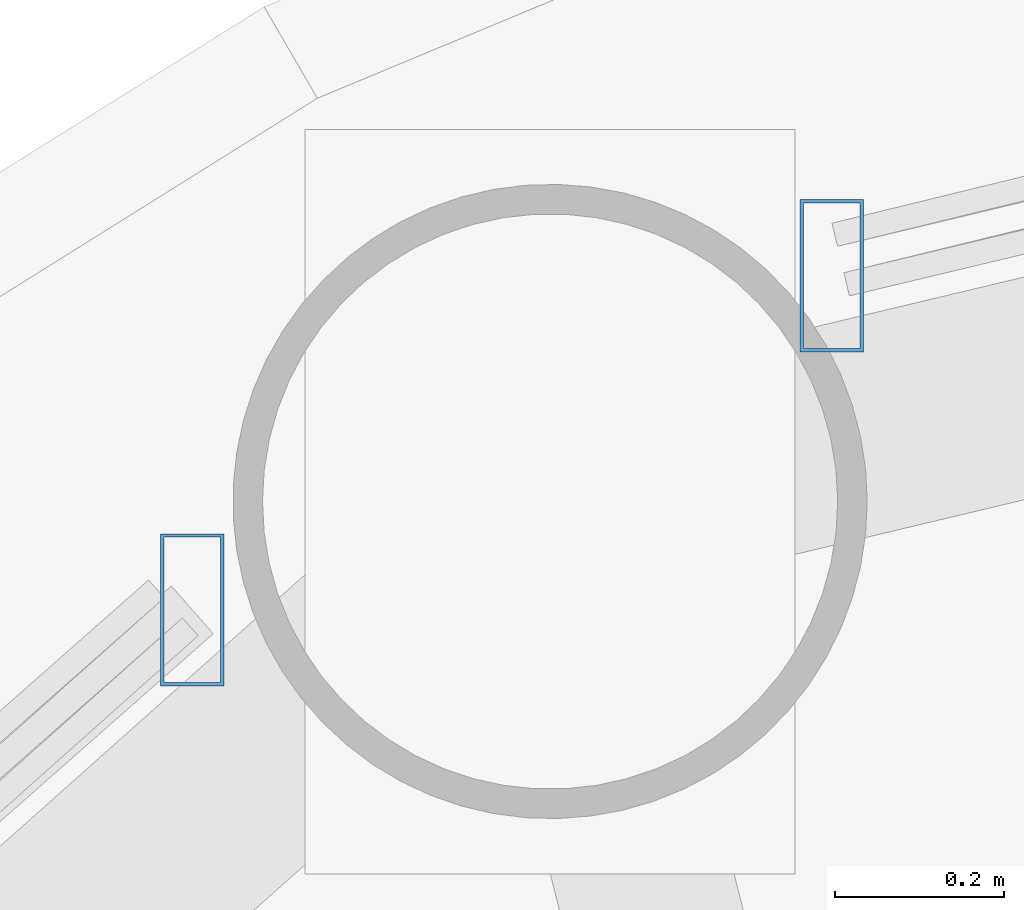
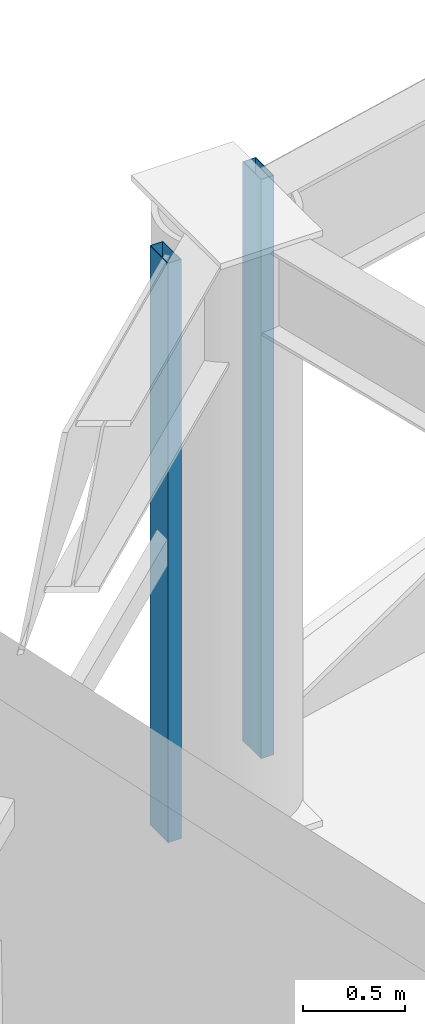
# One storey, part 16 of 30: 2 members, 2 elements without a shape of their own.
"""IFC4 building model written with IfcOpenShell, lengths in metres."""

from ifc_helpers import new_model, si_unit, direction, frame, origin, origin_2d, place, context, subcontext, project, spatial, hollow_rectangle, extrude, material, layer, layer_set, material_profile, profile_set, type_object, element, aggregate, save


model = new_model("IFC4")

# Units and contexts
model_context = context("Model", 3, precision=1e-05, world=origin(), true_north=direction((0.0, 1.0)))
body_context = subcontext(model_context, "Body", "Model", "MODEL_VIEW")
ifc_project = project(units=[si_unit("LENGTHUNIT", "METRE"), si_unit("AREAUNIT", "SQUARE_METRE"), si_unit("VOLUMEUNIT", "CUBIC_METRE"), si_unit("PLANEANGLEUNIT", "RADIAN"), si_unit("MASSUNIT", "GRAM", prefix="KILO")], contexts=[model_context])

# Site, building, storey
site_placement = place(None, origin())
site = spatial("IfcSite", under=ifc_project, at=site_placement, CompositionType="ELEMENT")
building_placement = place(site_placement, origin())
building = spatial("IfcBuilding", under=site, at=building_placement, Name="Vantalir Tower", CompositionType="ELEMENT")
storey_placement = place(building_placement, frame((0.0, 0.0, 130.949951171875)))
storey = spatial("IfcBuildingStorey", under=building, at=storey_placement, Name="L32", CompositionType="ELEMENT", Elevation=130.949951171875)

# Curtain wall, member
ifc_material_1 = material(Name="Champagne-silver PVDF aluminium and double-silver Low-E glass", Category="aluminium")
ifc_layer = layer(ifc_material_1, 0.199951171875)
ifc_layer_set = layer_set([ifc_layer], Name="Champagne-silver PVDF aluminium and double-silver Low-E glass")
curtain_wall_type = type_object("IfcCurtainWallType", Name="CW-DIAMOND-Z2", PredefinedType="USERDEFINED", material=ifc_layer_set)
curtain_wall_1_placement = place(storey_placement, origin())
curtain_wall_1 = element("IfcCurtainWall", 1, at=curtain_wall_1_placement, inside=storey, type_object=curtain_wall_type, Name="L32 Quilted Pyramid-Diamond Curtain Wall S04", ObjectType="UNITISED CURTAIN WALL", PredefinedType="USERDEFINED")
ifc_material_2 = material(Name="Champagne-silver PVDF aluminium 6063-T6", Category="aluminium")
ifc_material_profile = material_profile(ifc_material_2, hollow_rectangle(XDim=0.074951171875, YDim=0.179931640625, WallThickness=0.00390625, at=origin_2d()), Name="Champagne-silver PVDF aluminium 6063-T6")
ifc_profile_set = profile_set([ifc_material_profile], Name="Champagne-silver PVDF aluminium 6063-T6")
member_type = type_object("IfcMemberType", Name="CWM-180x75", PredefinedType="MULLION", material=ifc_profile_set)
member_1_placement = place(storey_placement, frame((19.287109375, 44.617919921875, 0.045166015625), z_axis=(0.0, 0.0, 1.0), x_axis=(1.0, 0.0, 0.0)))
member_1 = element("IfcMember", 2, at=member_1_placement, type_object=member_type, Name="CW-L32-S04 Mullion 2", PredefinedType="MULLION", context=body_context, shape_type="SweptSolid", body=[
    extrude(hollow_rectangle(XDim=0.074951171875, YDim=0.179931640625, WallThickness=0.00390625, at=origin_2d()), origin(), (0.0, 0.0, 1.0), 3.47998046875),
])
aggregate(curtain_wall_1, [member_1])

curtain_wall_2_placement = place(storey_placement, origin())
curtain_wall_2 = element("IfcCurtainWall", 3, at=curtain_wall_2_placement, inside=storey, type_object=curtain_wall_type, Name="L32 Quilted Pyramid-Diamond Curtain Wall S05", ObjectType="UNITISED CURTAIN WALL", PredefinedType="USERDEFINED")
member_2_placement = place(storey_placement, frame((18.531005859375, 44.222900390625, 0.045166015625), z_axis=(0.0, 0.0, 1.0), x_axis=(1.0, 0.0, 0.0)))
member_2 = element("IfcMember", 4, at=member_2_placement, type_object=member_type, Name="CW-L32-S05 Mullion 1", PredefinedType="MULLION", context=body_context, shape_type="SweptSolid", body=[
    extrude(hollow_rectangle(XDim=0.074951171875, YDim=0.179931640625, WallThickness=0.00390625, at=origin_2d()), origin(), (0.0, 0.0, 1.0), 3.47998046875),
])
aggregate(curtain_wall_2, [member_2])

save(model, "model.ifc")
